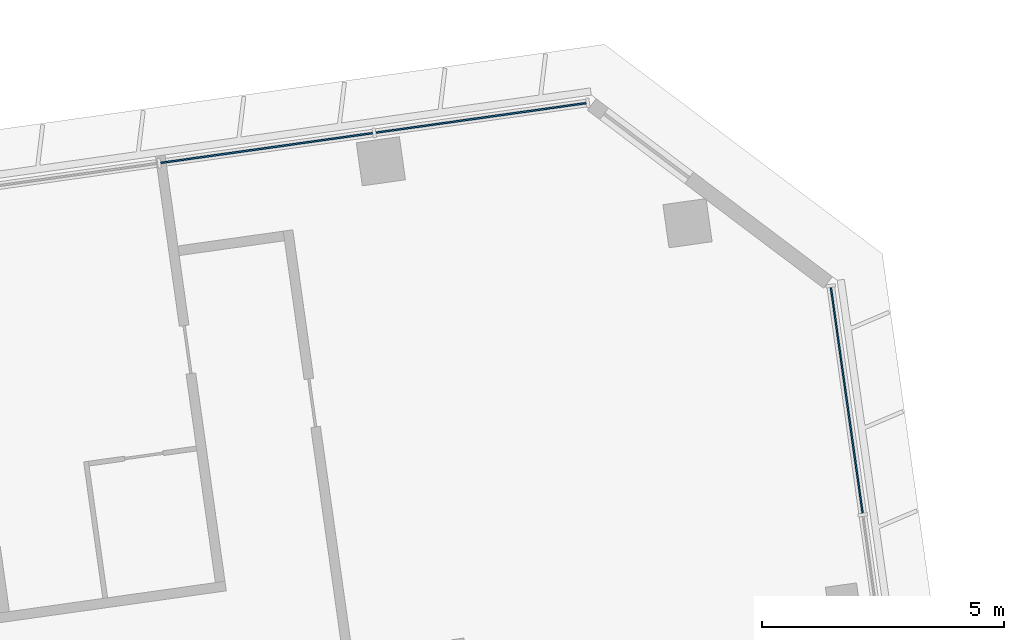
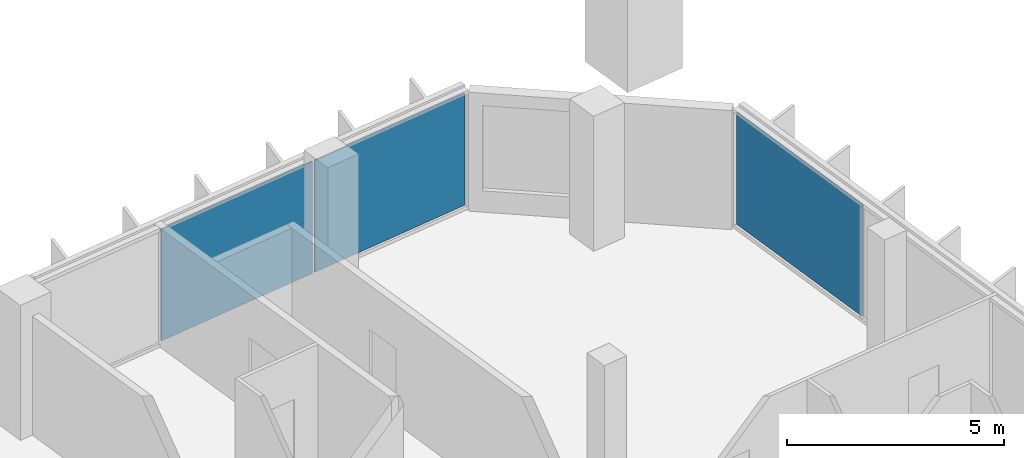
# One storey, part 13 of 25: 3 plates, 2 elements without a shape of their own.
"""IFC4 building model written with IfcOpenShell, lengths in metres."""

from ifc_helpers import new_model, si_unit, direction, frame, origin, origin_2d, place, context, subcontext, project, spatial, rectangle, extrude, material, layer, layer_set, type_object, element, aggregate, save


model = new_model("IFC4")

# Units and contexts
model_context = context("Model", 3, precision=1e-05, world=origin(), true_north=direction((0.0, 1.0)))
body_context = subcontext(model_context, "Body", "Model", "MODEL_VIEW")
ifc_project = project(units=[si_unit("LENGTHUNIT", "METRE"), si_unit("AREAUNIT", "SQUARE_METRE"), si_unit("VOLUMEUNIT", "CUBIC_METRE"), si_unit("PLANEANGLEUNIT", "RADIAN"), si_unit("MASSUNIT", "GRAM", prefix="KILO")], contexts=[model_context])

# Site, building, storey
site_placement = place(None, origin())
site = spatial("IfcSite", under=ifc_project, at=site_placement, CompositionType="ELEMENT")
building_placement = place(site_placement, origin())
building = spatial("IfcBuilding", under=site, at=building_placement, Name="Mirante Cascada Hotel Towers", CompositionType="ELEMENT")
storey_placement = place(building_placement, frame((0.0, 0.0, 102.5)))
storey = spatial("IfcBuildingStorey", under=building, at=storey_placement, Name="L22", CompositionType="ELEMENT", Elevation=102.5)

# Curtain wall, plates
ifc_material_1 = material(Name="Aluminium mullion and transom frame with clear laminated glass", Category="aluminium")
curtain_wall_type_1 = type_object("IfcCurtainWallType", Name="Ribbon curtain wall ECW1", PredefinedType="NOTDEFINED", material=ifc_material_1)
curtain_wall_1_placement = place(storey_placement, origin())
curtain_wall_1 = element("IfcCurtainWall", 1, at=curtain_wall_1_placement, inside=storey, type_object=curtain_wall_type_1, Name="Front ribbon wall T2 L22", PredefinedType="NOTDEFINED")
ifc_material_2 = material(Name="Clear laminated glass", Category="glass")
ifc_layer_1 = layer(ifc_material_2, 0.036)
ifc_layer_set_1 = layer_set([ifc_layer_1], Name="ECW1 glass panel 36")
plate_type_1 = type_object("IfcPlateType", Name="ECW1 glass panel 36", PredefinedType="CURTAIN_PANEL", material=ifc_layer_set_1)
plate_1_placement = place(storey_placement, frame((91.9184, 25.7373, 0.1), z_axis=(0.0, 0.0, 1.0), x_axis=(-0.9902681, -0.1391731, 0.0)))
plate_1 = element("IfcPlate", 2, at=plate_1_placement, type_object=plate_type_1, Name="ECW1 panel 1", PredefinedType="CURTAIN_PANEL", context=body_context, shape_type="SweptSolid", body=[
    extrude(rectangle(XDim=4.3936, YDim=0.036, at=origin_2d()), origin(), (0.0, 0.0, 1.0), 3.15),
])
plate_2_placement = place(storey_placement, frame((87.487, 25.1145, 0.1), z_axis=(0.0, 0.0, 1.0), x_axis=(-0.9902681, -0.1391731, 0.0)))
plate_2 = element("IfcPlate", 3, at=plate_2_placement, type_object=plate_type_1, Name="ECW1 panel 2", PredefinedType="CURTAIN_PANEL", context=body_context, shape_type="SweptSolid", body=[
    extrude(rectangle(XDim=4.4261, YDim=0.036, at=origin_2d()), origin(), (0.0, 0.0, 1.0), 3.15),
])
aggregate(curtain_wall_1, [plate_1, plate_2])

# Curtain wall, plate
ifc_material_3 = material(Name="Aluminium mullion and transom frame with clear laminated glass", Category="aluminium")
curtain_wall_type_2 = type_object("IfcCurtainWallType", Name="End ribbon curtain wall ECW2", PredefinedType="NOTDEFINED", material=ifc_material_3)
curtain_wall_2_placement = place(storey_placement, origin())
curtain_wall_2 = element("IfcCurtainWall", 4, at=curtain_wall_2_placement, inside=storey, type_object=curtain_wall_type_2, Name="Outer end wall T2 L22", PredefinedType="NOTDEFINED")
ifc_material_4 = material(Name="Clear laminated glass", Category="glass")
ifc_layer_2 = layer(ifc_material_4, 0.034)
ifc_layer_set_2 = layer_set([ifc_layer_2], Name="ECW2 glass panel 34")
plate_type_2 = type_object("IfcPlateType", Name="ECW2 glass panel 34", PredefinedType="CURTAIN_PANEL", material=ifc_layer_set_2)
plate_3_placement = place(storey_placement, frame((99.4786, 19.898, 0.1), z_axis=(0.0, 0.0, 1.0), x_axis=(-0.1391731, 0.9902681, 0.0)))
plate_3 = element("IfcPlate", 5, at=plate_3_placement, type_object=plate_type_2, Name="ECW2 panel 6", PredefinedType="CURTAIN_PANEL", context=body_context, shape_type="SweptSolid", body=[
    extrude(rectangle(XDim=4.7151, YDim=0.034, at=origin_2d()), origin(), (0.0, 0.0, 1.0), 3.15),
])
aggregate(curtain_wall_2, [plate_3])

save(model, "model.ifc")
